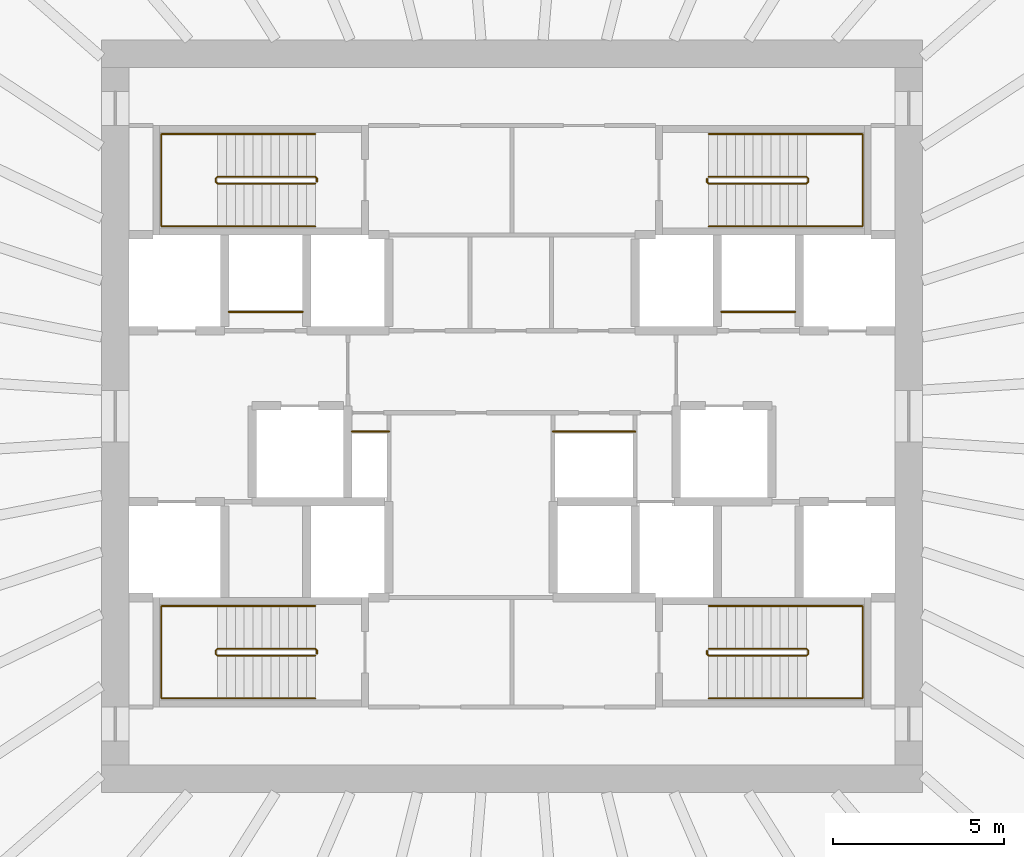
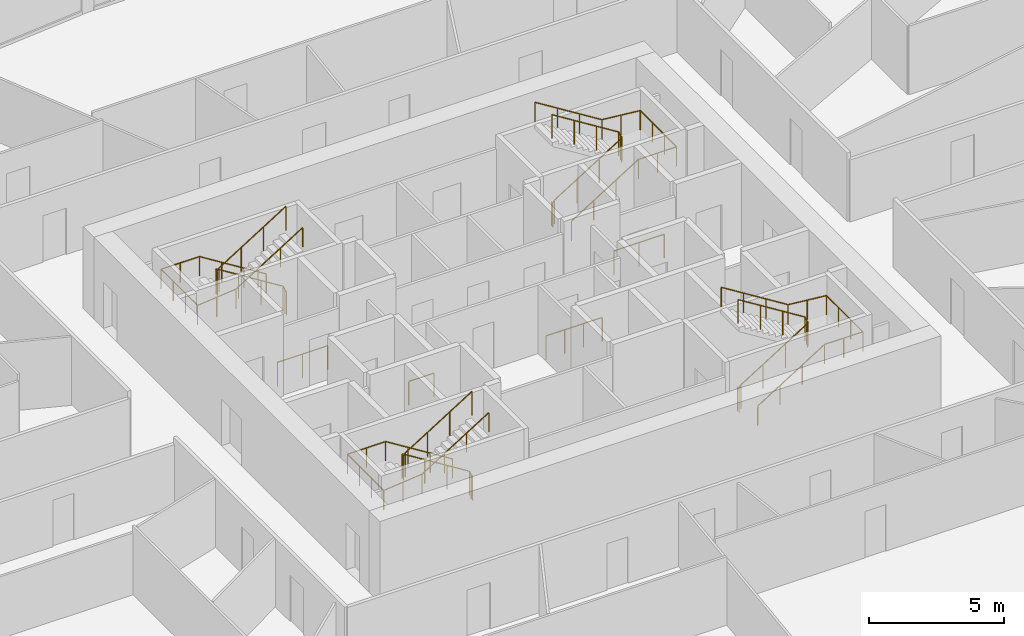
# One storey, part 10 of 10: 12 railings.
"""IFC4 building model written with IfcOpenShell, lengths in metres."""

from ifc_helpers import new_model, si_unit, direction, frame, origin, origin_2d, place, context, subcontext, project, spatial, circle, extrude, source, transform, mapped, material, type_object, element, save


model = new_model("IFC4")

# Units and contexts
model_context = context("Model", 3, precision=1e-05, world=origin(), true_north=direction((0.0, 1.0)))
body_context = subcontext(model_context, "Body", "Model", "MODEL_VIEW")
ifc_project = project(units=[si_unit("LENGTHUNIT", "METRE"), si_unit("AREAUNIT", "SQUARE_METRE"), si_unit("VOLUMEUNIT", "CUBIC_METRE"), si_unit("PLANEANGLEUNIT", "RADIAN"), si_unit("MASSUNIT", "GRAM", prefix="KILO")], contexts=[model_context])

# Site, building, storey
site_placement = place(None, origin())
site = spatial("IfcSite", under=ifc_project, at=site_placement, CompositionType="ELEMENT")
building_placement = place(site_placement, origin())
building = spatial("IfcBuilding", under=site, at=building_placement, Name="Embergate Tower", CompositionType="ELEMENT")
storey_placement = place(building_placement, frame((0.0, 0.0, 175.5)))
storey = spatial("IfcBuildingStorey", under=building, at=storey_placement, Name="L39", CompositionType="ELEMENT", Elevation=175.5)

# Railings
ifc_material_1 = material(Name="Stair guard 1100")
railing_type_1 = type_object("IfcRailingType", Name="Stair guard 1100", PredefinedType="GUARDRAIL", material=ifc_material_1)
shared_shape_1 = source(origin(), body_context, "Body", "SweptSolid", [
    extrude(circle(Radius=0.02392578125, at=origin_2d()), frame((0.0, 0.0, 1.076171875), z_axis=(0.0, 1.0, 0.0), x_axis=(-1.0, 0.0, 0.0)), (0.0, 0.0, 1.0), 0.099853515625),
    extrude(circle(Radius=0.02392578125, at=origin_2d()), frame((0.0, 0.099853515625, 1.076171875), z_axis=(-0.282227285176, 0.282227285176, 0.916894497205), x_axis=(-0.707106781187, -0.707106781187, 0.0)), (0.0, 0.0, 1.0), 0.17724609375),
    extrude(circle(Radius=0.02392578125, at=origin_2d()), frame((-0.050048828125, 0.14990234375, 1.23876953125), z_axis=(-0.848026770018, 0.0, 0.529953391661), x_axis=(0.0, -1.0, 0.0)), (0.0, 0.0, 1.0), 3.37255859375),
    extrude(circle(Radius=0.02392578125, at=origin_2d()), frame((-2.91015625, 0.14990234375, 3.02587890625), z_axis=(-0.705375805398, -0.708833529934, 0.0), x_axis=(0.708833529934, -0.705375805398, 0.0)), (0.0, 0.0, 1.0), 0.070556640625),
    extrude(circle(Radius=0.02392578125, at=origin_2d()), frame((-2.9599609375, 0.099853515625, 3.02587890625), z_axis=(0.0, -1.0, 0.0), x_axis=(1.0, 0.0, 0.0)), (0.0, 0.0, 1.0), 0.099853515625),
    extrude(circle(Radius=0.02392578125, at=origin_2d()), frame((-2.9599609375, 0.0, 3.02587890625), z_axis=(0.280959487676, -0.282336740067, 0.917250092119), x_axis=(0.708833529934, 0.705375805398, 0.0)), (0.0, 0.0, 1.0), 0.17724609375),
    extrude(circle(Radius=0.02392578125, at=origin_2d()), frame((-2.91015625, -0.050048828125, 3.1884765625), z_axis=(0.848026770018, 0.0, 0.529953391661), x_axis=(0.0, 1.0, 0.0)), (0.0, 0.0, 1.0), 3.37255859375),
    extrude(circle(Radius=0.02099609375, at=origin_2d()), origin(), (0.0, 0.0, 1.0), 1.052001953125),
    extrude(circle(Radius=0.02099609375, at=origin_2d()), frame((0.0, 0.099853515625, 0.0)), (0.0, 0.0, 1.0), 1.052001953125),
    extrude(circle(Radius=0.02099609375, at=origin_2d()), frame((-0.050048828125, 0.14990234375, 0.16259765625)), (0.0, 0.0, 1.0), 1.052001953125),
    extrude(circle(Radius=0.02099609375, at=origin_2d()), frame((-1.00341796875, 0.14990234375, 0.75830078125)), (0.0, 0.0, 1.0), 1.052001953125),
    extrude(circle(Radius=0.02099609375, at=origin_2d()), frame((-1.956787109375, 0.14990234375, 1.354248046875)), (0.0, 0.0, 1.0), 1.052001953125),
    extrude(circle(Radius=0.02099609375, at=origin_2d()), frame((-2.91015625, 0.14990234375, 1.949951171875)), (0.0, 0.0, 1.0), 1.052001953125),
    extrude(circle(Radius=0.02099609375, at=origin_2d()), frame((-2.9599609375, 0.099853515625, 1.949951171875)), (0.0, 0.0, 1.0), 1.052001953125),
    extrude(circle(Radius=0.02099609375, at=origin_2d()), frame((-2.9599609375, 0.0, 1.949951171875)), (0.0, 0.0, 1.0), 1.052001953125),
    extrude(circle(Radius=0.02099609375, at=origin_2d()), frame((-2.91015625, -0.050048828125, 2.112548828125)), (0.0, 0.0, 1.0), 1.052001953125),
    extrude(circle(Radius=0.02099609375, at=origin_2d()), frame((-1.956787109375, -0.050048828125, 2.708251953125)), (0.0, 0.0, 1.0), 1.052001953125),
    extrude(circle(Radius=0.02099609375, at=origin_2d()), frame((-1.00341796875, -0.050048828125, 3.30419921875)), (0.0, 0.0, 1.0), 1.052001953125),
    extrude(circle(Radius=0.02099609375, at=origin_2d()), frame((-0.050048828125, -0.050048828125, 3.89990234375)), (0.0, 0.0, 1.0), 1.052001953125),
])
for number, where, name in (
    (1, (-5.699951171875, 6.85009765625, 0.0), "L39 ST1 stair guard 1"),
    (2, (-5.699951171875, -6.949951171875, 0.0), "L39 ST3 stair guard 1"),
):
    element("IfcRailing", number, at=place(storey_placement, frame(where)), inside=storey, type_object=railing_type_1, Name=name, PredefinedType="GUARDRAIL", context=body_context, shape_type="MappedRepresentation", body=[
        mapped(shared_shape_1, transform((0.0, 0.0, 0.0))),
    ])
ifc_material_2 = material(Name="Stair handrail 900")
railing_type_2 = type_object("IfcRailingType", Name="Stair handrail 900", PredefinedType="HANDRAIL", material=ifc_material_2)
shared_shape_2 = source(origin(), body_context, "Body", "SweptSolid", [
    extrude(circle(Radius=0.02392578125, at=origin_2d()), frame((0.0, 0.0, 0.8759765625), z_axis=(-0.848026770018, 0.0, 0.529953391661), x_axis=(0.0, -1.0, 0.0)), (0.0, 0.0, 1.0), 3.37255859375),
    extrude(circle(Radius=0.02392578125, at=origin_2d()), frame((-2.860107421875, 0.0, 2.6630859375), z_axis=(-1.0, 0.0, 0.0), x_axis=(0.0, -1.0, 0.0)), (0.0, 0.0, 1.0), 1.639892578125),
    extrude(circle(Radius=0.02392578125, at=origin_2d()), frame((-4.5, 0.0, 2.6630859375), z_axis=(0.0, -1.0, 0.0), x_axis=(1.0, 0.0, 0.0)), (0.0, 0.0, 1.0), 2.699951171875),
    extrude(circle(Radius=0.02392578125, at=origin_2d()), frame((-4.5, -2.699951171875, 2.6630859375), z_axis=(0.995120448088, 0.0, 0.098667592441), x_axis=(0.0, 1.0, 0.0)), (0.0, 0.0, 1.0), 1.64794921875),
    extrude(circle(Radius=0.02392578125, at=origin_2d()), frame((-2.860107421875, -2.699951171875, 2.82568359375), z_axis=(0.848026770018, 0.0, 0.529953391661), x_axis=(0.0, 1.0, 0.0)), (0.0, 0.0, 1.0), 3.37255859375),
    extrude(circle(Radius=0.02099609375, at=origin_2d()), origin(), (0.0, 0.0, 1.0), 0.851806640625),
    extrude(circle(Radius=0.02099609375, at=origin_2d()), frame((-0.953369140625, 0.0, 0.595703125)), (0.0, 0.0, 1.0), 0.851806640625),
    extrude(circle(Radius=0.02099609375, at=origin_2d()), frame((-1.90673828125, 0.0, 1.191650390625)), (0.0, 0.0, 1.0), 0.851806640625),
    extrude(circle(Radius=0.02099609375, at=origin_2d()), frame((-2.860107421875, 0.0, 1.787353515625)), (0.0, 0.0, 1.0), 0.851806640625),
    extrude(circle(Radius=0.02099609375, at=origin_2d()), frame((-3.68017578125, 0.0, 1.787353515625)), (0.0, 0.0, 1.0), 0.851806640625),
    extrude(circle(Radius=0.02099609375, at=origin_2d()), frame((-4.5, 0.0, 1.787353515625)), (0.0, 0.0, 1.0), 0.851806640625),
    extrude(circle(Radius=0.02099609375, at=origin_2d()), frame((-4.5, -0.89990234375, 1.787353515625)), (0.0, 0.0, 1.0), 0.851806640625),
    extrude(circle(Radius=0.02099609375, at=origin_2d()), frame((-4.5, -1.800048828125, 1.787353515625)), (0.0, 0.0, 1.0), 0.851806640625),
    extrude(circle(Radius=0.02099609375, at=origin_2d()), frame((-4.5, -2.699951171875, 1.787353515625)), (0.0, 0.0, 1.0), 0.851806640625),
    extrude(circle(Radius=0.02099609375, at=origin_2d()), frame((-3.68017578125, -2.699951171875, 1.86865234375)), (0.0, 0.0, 1.0), 0.851806640625),
    extrude(circle(Radius=0.02099609375, at=origin_2d()), frame((-2.860107421875, -2.699951171875, 1.949951171875)), (0.0, 0.0, 1.0), 0.851806640625),
    extrude(circle(Radius=0.02099609375, at=origin_2d()), frame((-1.90673828125, -2.699951171875, 2.545654296875)), (0.0, 0.0, 1.0), 0.851806640625),
    extrude(circle(Radius=0.02099609375, at=origin_2d()), frame((-0.953369140625, -2.699951171875, 3.1416015625)), (0.0, 0.0, 1.0), 0.851806640625),
    extrude(circle(Radius=0.02099609375, at=origin_2d()), frame((0.0, -2.699951171875, 3.7373046875)), (0.0, 0.0, 1.0), 0.851806640625),
])
for number, where, name in (
    (3, (-5.75, 8.25, 0.16259765625), "L39 ST1 stair handrail 1"),
    (4, (-5.75, -5.550048828125, 0.16259765625), "L39 ST3 stair handrail 1"),
):
    element("IfcRailing", number, at=place(storey_placement, frame(where)), inside=storey, type_object=railing_type_2, Name=name, PredefinedType="HANDRAIL", context=body_context, shape_type="MappedRepresentation", body=[
        mapped(shared_shape_2, transform((0.0, 0.0, 0.0))),
    ])
shared_shape_3 = source(origin(), body_context, "Body", "SweptSolid", [
    extrude(circle(Radius=0.02392578125, at=origin_2d()), frame((0.0, 0.0, 1.076171875), z_axis=(0.0, -1.0, 0.0), x_axis=(1.0, 0.0, 0.0)), (0.0, 0.0, 1.0), 0.099853515625),
    extrude(circle(Radius=0.02392578125, at=origin_2d()), frame((0.0, -0.099853515625, 1.076171875), z_axis=(0.282227285176, -0.282227285176, 0.916894497205), x_axis=(0.707106781187, 0.707106781187, 0.0)), (0.0, 0.0, 1.0), 0.17724609375),
    extrude(circle(Radius=0.02392578125, at=origin_2d()), frame((0.050048828125, -0.14990234375, 1.23876953125), z_axis=(0.848026770018, 0.0, 0.529953391661), x_axis=(0.0, 1.0, 0.0)), (0.0, 0.0, 1.0), 3.37255859375),
    extrude(circle(Radius=0.02392578125, at=origin_2d()), frame((2.91015625, -0.14990234375, 3.02587890625), z_axis=(0.705375805398, 0.708833529934, 0.0), x_axis=(-0.708833529934, 0.705375805398, 0.0)), (0.0, 0.0, 1.0), 0.070556640625),
    extrude(circle(Radius=0.02392578125, at=origin_2d()), frame((2.9599609375, -0.099853515625, 3.02587890625), z_axis=(0.0, 1.0, 0.0), x_axis=(-1.0, 0.0, 0.0)), (0.0, 0.0, 1.0), 0.099853515625),
    extrude(circle(Radius=0.02392578125, at=origin_2d()), frame((2.9599609375, 0.0, 3.02587890625), z_axis=(-0.280959487676, 0.282336740067, 0.917250092119), x_axis=(-0.708833529934, -0.705375805398, 0.0)), (0.0, 0.0, 1.0), 0.17724609375),
    extrude(circle(Radius=0.02392578125, at=origin_2d()), frame((2.91015625, 0.050048828125, 3.1884765625), z_axis=(-0.848026770018, 0.0, 0.529953391661), x_axis=(0.0, -1.0, 0.0)), (0.0, 0.0, 1.0), 3.37255859375),
    extrude(circle(Radius=0.02099609375, at=origin_2d()), origin(), (0.0, 0.0, 1.0), 1.052001953125),
    extrude(circle(Radius=0.02099609375, at=origin_2d()), frame((0.0, -0.099853515625, 0.0)), (0.0, 0.0, 1.0), 1.052001953125),
    extrude(circle(Radius=0.02099609375, at=origin_2d()), frame((0.050048828125, -0.14990234375, 0.16259765625)), (0.0, 0.0, 1.0), 1.052001953125),
    extrude(circle(Radius=0.02099609375, at=origin_2d()), frame((1.00341796875, -0.14990234375, 0.75830078125)), (0.0, 0.0, 1.0), 1.052001953125),
    extrude(circle(Radius=0.02099609375, at=origin_2d()), frame((1.956787109375, -0.14990234375, 1.354248046875)), (0.0, 0.0, 1.0), 1.052001953125),
    extrude(circle(Radius=0.02099609375, at=origin_2d()), frame((2.91015625, -0.14990234375, 1.949951171875)), (0.0, 0.0, 1.0), 1.052001953125),
    extrude(circle(Radius=0.02099609375, at=origin_2d()), frame((2.9599609375, -0.099853515625, 1.949951171875)), (0.0, 0.0, 1.0), 1.052001953125),
    extrude(circle(Radius=0.02099609375, at=origin_2d()), frame((2.9599609375, 0.0, 1.949951171875)), (0.0, 0.0, 1.0), 1.052001953125),
    extrude(circle(Radius=0.02099609375, at=origin_2d()), frame((2.91015625, 0.050048828125, 2.112548828125)), (0.0, 0.0, 1.0), 1.052001953125),
    extrude(circle(Radius=0.02099609375, at=origin_2d()), frame((1.956787109375, 0.050048828125, 2.708251953125)), (0.0, 0.0, 1.0), 1.052001953125),
    extrude(circle(Radius=0.02099609375, at=origin_2d()), frame((1.00341796875, 0.050048828125, 3.30419921875)), (0.0, 0.0, 1.0), 1.052001953125),
    extrude(circle(Radius=0.02099609375, at=origin_2d()), frame((0.050048828125, 0.050048828125, 3.89990234375)), (0.0, 0.0, 1.0), 1.052001953125),
])
for number, where, name in (
    (5, (5.699951171875, 6.949951171875, 0.0), "L39 ST2 stair guard 1"),
    (6, (5.699951171875, -6.85009765625, 0.0), "L39 ST4 stair guard 1"),
):
    element("IfcRailing", number, at=place(storey_placement, frame(where)), inside=storey, type_object=railing_type_1, Name=name, PredefinedType="GUARDRAIL", context=body_context, shape_type="MappedRepresentation", body=[
        mapped(shared_shape_3, transform((0.0, 0.0, 0.0))),
    ])
shared_shape_4 = source(origin(), body_context, "Body", "SweptSolid", [
    extrude(circle(Radius=0.02392578125, at=origin_2d()), frame((0.0, 0.0, 0.8759765625), z_axis=(0.848026770018, 0.0, 0.529953391661), x_axis=(0.0, 1.0, 0.0)), (0.0, 0.0, 1.0), 3.37255859375),
    extrude(circle(Radius=0.02392578125, at=origin_2d()), frame((2.860107421875, 0.0, 2.6630859375), z_axis=(1.0, 0.0, 0.0), x_axis=(0.0, 1.0, 0.0)), (0.0, 0.0, 1.0), 1.639892578125),
    extrude(circle(Radius=0.02392578125, at=origin_2d()), frame((4.5, 0.0, 2.6630859375), z_axis=(0.0, 1.0, 0.0), x_axis=(-1.0, 0.0, 0.0)), (0.0, 0.0, 1.0), 2.699951171875),
    extrude(circle(Radius=0.02392578125, at=origin_2d()), frame((4.5, 2.699951171875, 2.6630859375), z_axis=(-0.995120448088, 0.0, 0.098667592441), x_axis=(0.0, -1.0, 0.0)), (0.0, 0.0, 1.0), 1.64794921875),
    extrude(circle(Radius=0.02392578125, at=origin_2d()), frame((2.860107421875, 2.699951171875, 2.82568359375), z_axis=(-0.848026770018, 0.0, 0.529953391661), x_axis=(0.0, -1.0, 0.0)), (0.0, 0.0, 1.0), 3.37255859375),
    extrude(circle(Radius=0.02099609375, at=origin_2d()), origin(), (0.0, 0.0, 1.0), 0.851806640625),
    extrude(circle(Radius=0.02099609375, at=origin_2d()), frame((0.953369140625, 0.0, 0.595703125)), (0.0, 0.0, 1.0), 0.851806640625),
    extrude(circle(Radius=0.02099609375, at=origin_2d()), frame((1.90673828125, 0.0, 1.191650390625)), (0.0, 0.0, 1.0), 0.851806640625),
    extrude(circle(Radius=0.02099609375, at=origin_2d()), frame((2.860107421875, 0.0, 1.787353515625)), (0.0, 0.0, 1.0), 0.851806640625),
    extrude(circle(Radius=0.02099609375, at=origin_2d()), frame((3.68017578125, 0.0, 1.787353515625)), (0.0, 0.0, 1.0), 0.851806640625),
    extrude(circle(Radius=0.02099609375, at=origin_2d()), frame((4.5, 0.0, 1.787353515625)), (0.0, 0.0, 1.0), 0.851806640625),
    extrude(circle(Radius=0.02099609375, at=origin_2d()), frame((4.5, 0.89990234375, 1.787353515625)), (0.0, 0.0, 1.0), 0.851806640625),
    extrude(circle(Radius=0.02099609375, at=origin_2d()), frame((4.5, 1.800048828125, 1.787353515625)), (0.0, 0.0, 1.0), 0.851806640625),
    extrude(circle(Radius=0.02099609375, at=origin_2d()), frame((4.5, 2.699951171875, 1.787353515625)), (0.0, 0.0, 1.0), 0.851806640625),
    extrude(circle(Radius=0.02099609375, at=origin_2d()), frame((3.68017578125, 2.699951171875, 1.86865234375)), (0.0, 0.0, 1.0), 0.851806640625),
    extrude(circle(Radius=0.02099609375, at=origin_2d()), frame((2.860107421875, 2.699951171875, 1.949951171875)), (0.0, 0.0, 1.0), 0.851806640625),
    extrude(circle(Radius=0.02099609375, at=origin_2d()), frame((1.90673828125, 2.699951171875, 2.545654296875)), (0.0, 0.0, 1.0), 0.851806640625),
    extrude(circle(Radius=0.02099609375, at=origin_2d()), frame((0.953369140625, 2.699951171875, 3.1416015625)), (0.0, 0.0, 1.0), 0.851806640625),
    extrude(circle(Radius=0.02099609375, at=origin_2d()), frame((0.0, 2.699951171875, 3.7373046875)), (0.0, 0.0, 1.0), 0.851806640625),
])
for number, where, name in (
    (7, (5.75, 5.550048828125, 0.16259765625), "L39 ST2 stair handrail 1"),
    (8, (5.75, -8.25, 0.16259765625), "L39 ST4 stair handrail 1"),
):
    element("IfcRailing", number, at=place(storey_placement, frame(where)), inside=storey, type_object=railing_type_2, Name=name, PredefinedType="HANDRAIL", context=body_context, shape_type="MappedRepresentation", body=[
        mapped(shared_shape_4, transform((0.0, 0.0, 0.0))),
    ])
ifc_material_3 = material(Name="Opening guard 1100")
railing_type_3 = type_object("IfcRailingType", Name="Opening guard 1100", PredefinedType="GUARDRAIL", material=ifc_material_3)
shared_shape_5 = source(origin(), body_context, "Body", "SweptSolid", [
    extrude(circle(Radius=0.02392578125, at=origin_2d()), frame((0.0, 0.0, 1.076171875), z_axis=(1.0, 0.0, 0.0), x_axis=(0.0, 1.0, 0.0)), (0.0, 0.0, 1.0), 2.14990234375),
    extrude(circle(Radius=0.02099609375, at=origin_2d()), origin(), (0.0, 0.0, 1.0), 1.052001953125),
    extrude(circle(Radius=0.02099609375, at=origin_2d()), frame((1.074951171875, 0.0, 0.0)), (0.0, 0.0, 1.0), 1.052001953125),
    extrude(circle(Radius=0.02099609375, at=origin_2d()), frame((2.14990234375, 0.0, 0.0)), (0.0, 0.0, 1.0), 1.052001953125),
])
for number, where, name in (
    (9, (-8.27490234375, 3.050048828125, 0.0), "Riser opening guard"),
    (10, (6.125, 3.050048828125, 0.0), "Riser opening guard"),
):
    element("IfcRailing", number, at=place(storey_placement, frame(where)), inside=storey, type_object=railing_type_3, Name=name, PredefinedType="GUARDRAIL", context=body_context, shape_type="MappedRepresentation", body=[
        mapped(shared_shape_5, transform((0.0, 0.0, 0.0))),
    ])
shared_shape_6 = source(origin(), body_context, "Body", "SweptSolid", [
    extrude(circle(Radius=0.02392578125, at=origin_2d()), frame((0.0, 0.0, 1.076171875), z_axis=(1.0, 0.0, 0.0), x_axis=(0.0, 1.0, 0.0)), (0.0, 0.0, 1.0), 1.074951171875),
    extrude(circle(Radius=0.02099609375, at=origin_2d()), origin(), (0.0, 0.0, 1.0), 1.052001953125),
    extrude(circle(Radius=0.02099609375, at=origin_2d()), frame((1.074951171875, 0.0, 0.0)), (0.0, 0.0, 1.0), 1.052001953125),
])
railing_1_placement = place(storey_placement, frame((-4.675048828125, -0.449951171875, 0.0)))
element("IfcRailing", 11, at=railing_1_placement, inside=storey, type_object=railing_type_3, Name="Riser opening guard", PredefinedType="GUARDRAIL", context=body_context, shape_type="MappedRepresentation", body=[
    mapped(shared_shape_6, transform((0.0, 0.0, 0.0))),
])
shared_shape_7 = source(origin(), body_context, "Body", "SweptSolid", [
    extrude(circle(Radius=0.02392578125, at=origin_2d()), frame((0.0, 0.0, 1.076171875), z_axis=(1.0, 0.0, 0.0), x_axis=(0.0, 1.0, 0.0)), (0.0, 0.0, 1.0), 2.400146484375),
    extrude(circle(Radius=0.02099609375, at=origin_2d()), origin(), (0.0, 0.0, 1.0), 1.052001953125),
    extrude(circle(Radius=0.02099609375, at=origin_2d()), frame((0.800048828125, 0.0, 0.0)), (0.0, 0.0, 1.0), 1.052001953125),
    extrude(circle(Radius=0.02099609375, at=origin_2d()), frame((1.60009765625, 0.0, 0.0)), (0.0, 0.0, 1.0), 1.052001953125),
    extrude(circle(Radius=0.02099609375, at=origin_2d()), frame((2.400146484375, 0.0, 0.0)), (0.0, 0.0, 1.0), 1.052001953125),
])
railing_2_placement = place(storey_placement, frame((1.199951171875, -0.449951171875, 0.0)))
element("IfcRailing", 12, at=railing_2_placement, inside=storey, type_object=railing_type_3, Name="Riser opening guard", PredefinedType="GUARDRAIL", context=body_context, shape_type="MappedRepresentation", body=[
    mapped(shared_shape_7, transform((0.0, 0.0, 0.0))),
])

save(model, "model.ifc")
